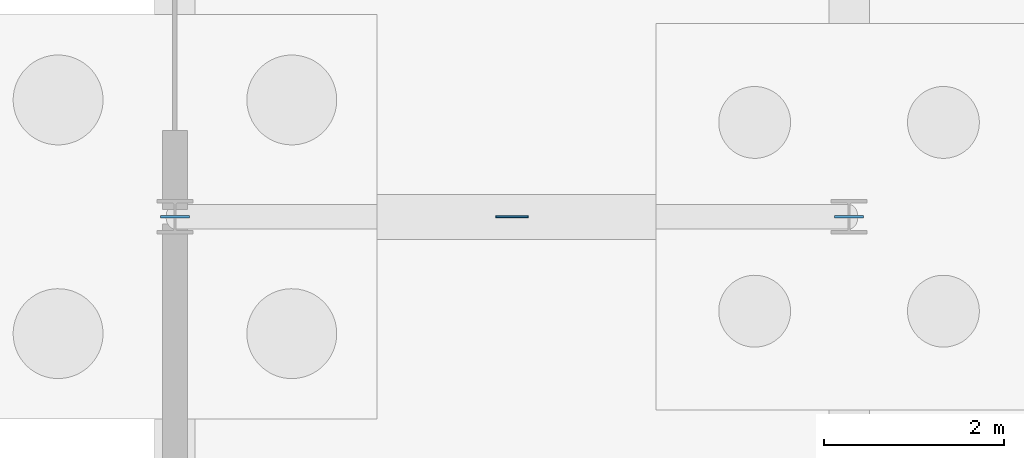
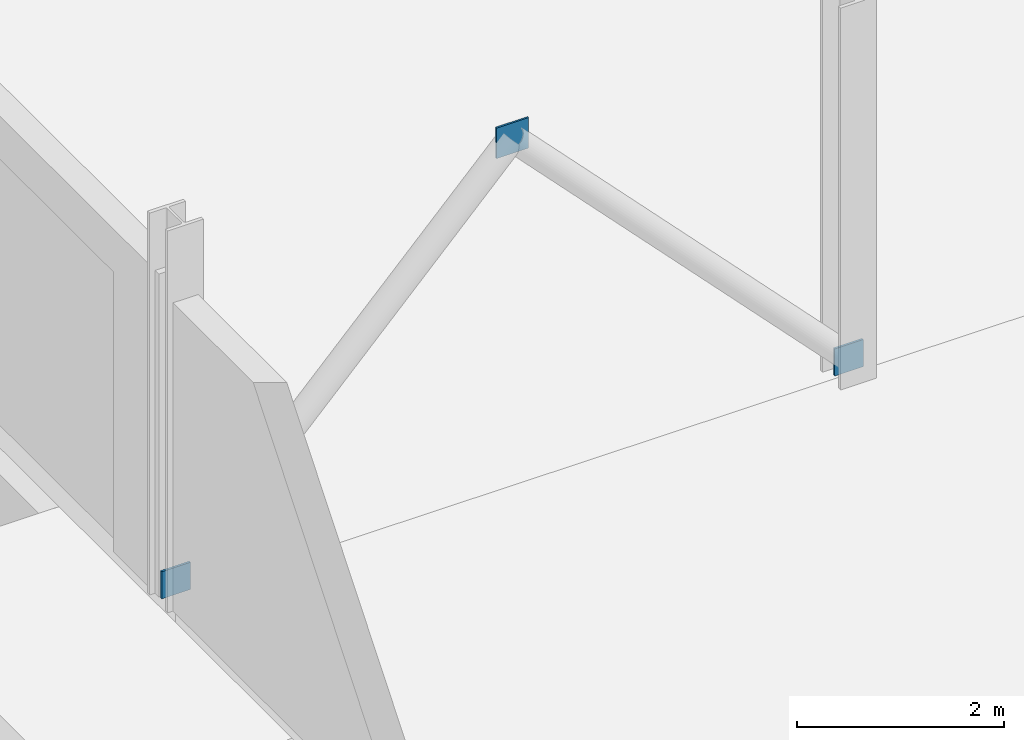
# One storey, part 102 of 136: 3 plates.
"""IFC4 building model written with IfcOpenShell, lengths in metres."""

from ifc_helpers import new_model, si_unit, direction, frame, origin, origin_2d, place, context, subcontext, project, spatial, rectangle, extrude, material, layer, layer_set, type_object, element, save


model = new_model("IFC4")

# Units and contexts
model_context = context("Model", 3, precision=1e-05, world=origin(), true_north=direction((0.0, 1.0)))
body_context = subcontext(model_context, "Body", "Model", "MODEL_VIEW")
ifc_project = project(units=[si_unit("LENGTHUNIT", "METRE"), si_unit("AREAUNIT", "SQUARE_METRE"), si_unit("VOLUMEUNIT", "CUBIC_METRE"), si_unit("PLANEANGLEUNIT", "RADIAN"), si_unit("MASSUNIT", "GRAM", prefix="KILO")], contexts=[model_context])

# Site, building, storey
site_placement = place(None, origin())
site = spatial("IfcSite", under=ifc_project, at=site_placement, CompositionType="ELEMENT")
building_placement = place(site_placement, origin())
building = spatial("IfcBuilding", under=site, at=building_placement, Name="Solvenia Promenade Tram Depot", CompositionType="ELEMENT")
storey_placement = place(building_placement, origin())
storey = spatial("IfcBuildingStorey", under=building, at=storey_placement, Name="L00", CompositionType="ELEMENT", Elevation=0.0)

# Plates
ifc_material = material(Name="Structural steel ASTM A572 Gr. 50", Category="steel")
ifc_layer_1 = layer(ifc_material, 0.02392578125, Name="Structural steel ASTM A572 Gr. 50", Category="steel")
ifc_layer_set_1 = layer_set([ifc_layer_1], Name="Structural steel ASTM A572 Gr. 50")
plate_type_1 = type_object("IfcPlateType", Name="EndCap-CP1", PredefinedType="SHEET", material=ifc_layer_set_1)
for number, where, z_axis, x_axis, name in (
    (1, (0.0, 66.0, 0.0400390625), (0.0, 0.0, 1.0), (1.0, 0.0, 0.0), "Chevron Left Foot Gusset Plate 01"),
    (2, (7.5, 66.0, 0.0400390625), (0.0, 0.0, 1.0), (1.0, 0.0, 0.0), "Chevron Right Foot Gusset Plate 01"),
):
    element("IfcPlate", number, at=place(storey_placement, frame(where, z_axis=z_axis, x_axis=x_axis)), inside=storey, type_object=plate_type_1, Name=name, PredefinedType="SHEET", context=body_context, shape_type="SweptSolid", body=[
        extrude(rectangle(XDim=0.320068359375, YDim=0.02392578125, at=origin_2d()), origin(), (0.0, 0.0, 1.0), 0.320068359375),
    ])
ifc_layer_2 = layer(ifc_material, 0.02197265625, Name="Structural steel ASTM A572 Gr. 50", Category="steel")
ifc_layer_set_2 = layer_set([ifc_layer_2], Name="Structural steel ASTM A572 Gr. 50")
plate_type_2 = type_object("IfcPlateType", Name="EndCap-CP2", PredefinedType="SHEET", material=ifc_layer_set_2)
plate_placement = place(storey_placement, frame((3.75, 66.0, 3.919921875), z_axis=(0.0, 0.0, 1.0), x_axis=(1.0, 0.0, 0.0)))
element("IfcPlate", 3, at=plate_placement, inside=storey, type_object=plate_type_2, Name="Chevron Gusset Cap Plate 01", PredefinedType="SHEET", context=body_context, shape_type="SweptSolid", body=[
    extrude(rectangle(XDim=0.360107421875, YDim=0.02001953125, at=origin_2d()), origin(), (0.0, 0.0, 1.0), 0.360107421875),
])

save(model, "model.ifc")
